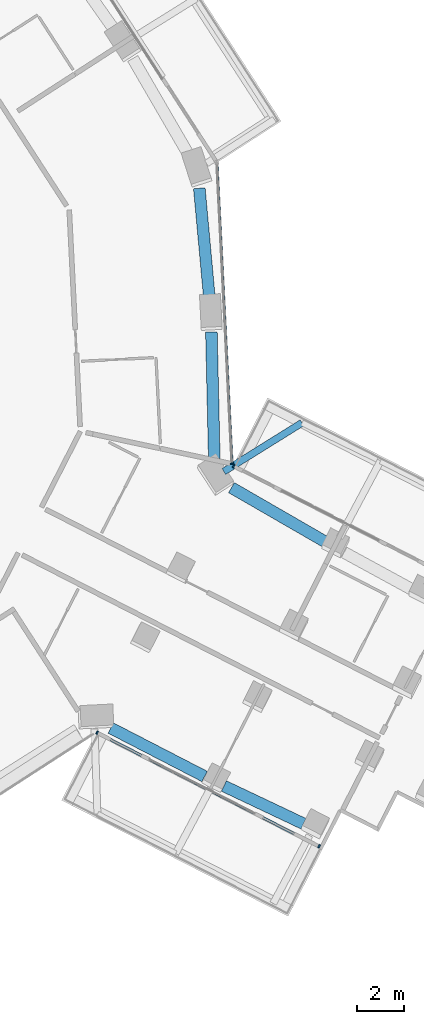
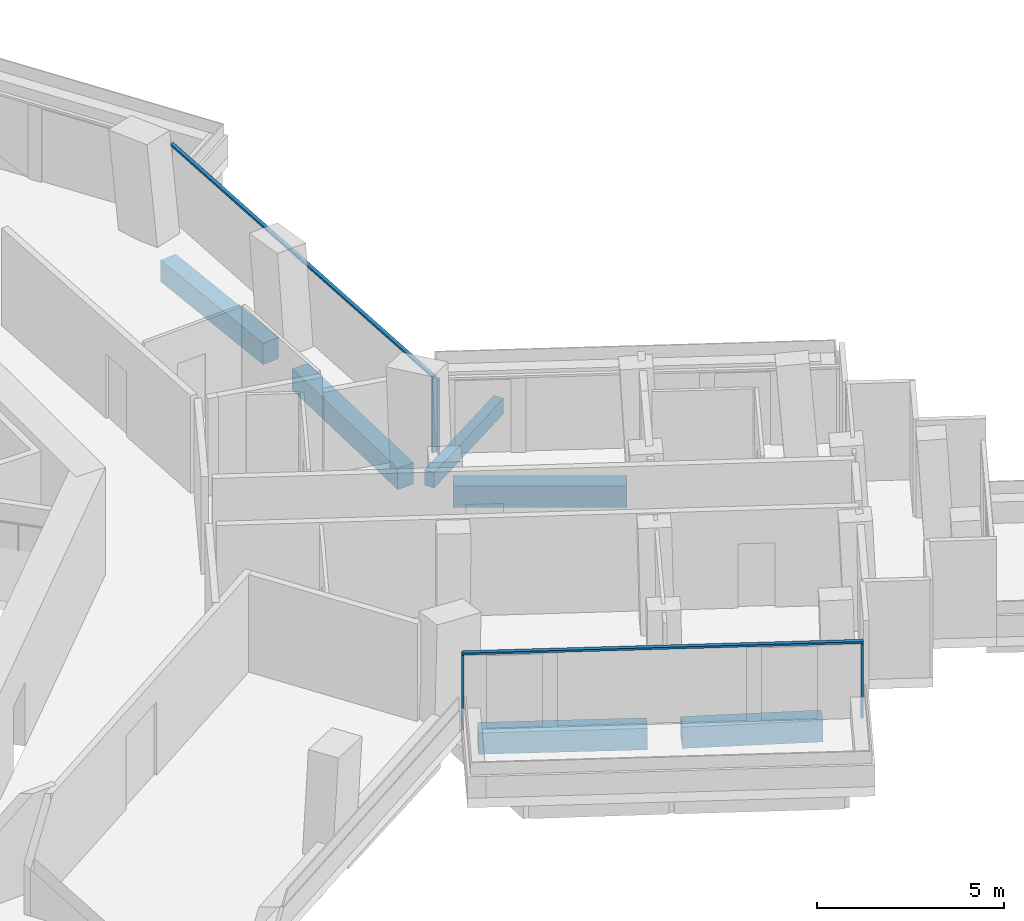
# One storey, part 6 of 25: 6 beams, 6 members, 3 elements without a shape of their own.
"""IFC4 building model written with IfcOpenShell, lengths in metres."""

from ifc_helpers import new_model, si_unit, direction, frame, origin, origin_2d, place, context, subcontext, project, spatial, rectangle, extrude, material, layer, layer_set, material_profile, profile_set, type_object, element, aggregate, save


model = new_model("IFC4")

# Units and contexts
model_context = context("Model", 3, precision=1e-05, world=origin(), true_north=direction((0.0, 1.0)))
body_context = subcontext(model_context, "Body", "Model", "MODEL_VIEW")
ifc_project = project(units=[si_unit("LENGTHUNIT", "METRE"), si_unit("AREAUNIT", "SQUARE_METRE"), si_unit("VOLUMEUNIT", "CUBIC_METRE"), si_unit("PLANEANGLEUNIT", "RADIAN"), si_unit("MASSUNIT", "GRAM", prefix="KILO")], contexts=[model_context])

# Site, building, storey
site_placement = place(None, origin())
site = spatial("IfcSite", under=ifc_project, at=site_placement, CompositionType="ELEMENT")
building_placement = place(site_placement, origin())
building = spatial("IfcBuilding", under=site, at=building_placement, Name="Verdalira Terraces Hotel", CompositionType="ELEMENT")
storey_placement = place(building_placement, frame((0.0, 0.0, 46.0)))
storey = spatial("IfcBuildingStorey", under=building, at=storey_placement, Name="L09", CompositionType="ELEMENT", Elevation=46.0)

# Beam
ifc_material_1 = material(Name="Concrete C40", Category="concrete")
ifc_material_profile_1 = material_profile(ifc_material_1, rectangle(XDim=0.300049, YDim=0.5, at=origin_2d()), Name="RC 300X500")
ifc_profile_set_1 = profile_set([ifc_material_profile_1], Name="Concrete C40")
beam_type_1 = type_object("IfcBeamType", Name="Balcony cantilever beam RC 300X500 C40", PredefinedType="BEAM", material=ifc_profile_set_1)
beam_1_placement = place(storey_placement, frame((24.13208, -5.584229, -0.560059), z_axis=(0.848778635, 0.52874836, 0.0), x_axis=(-0.52874836, 0.848778635, 0.0)))
element("IfcBeam", 1, at=beam_1_placement, inside=storey, type_object=beam_type_1, Name="Balcony cantilever beam R38-3", PredefinedType="BEAM", context=body_context, shape_type="SweptSolid", body=[
    extrude(rectangle(XDim=0.300049, YDim=0.5, at=origin_2d()), origin(), (0.0, 0.0, 1.0), 3.950195),
])

# Curtain wall, members
ifc_material_2 = material(Name="Clear glass", Category="glass")
ifc_layer_1 = layer(ifc_material_2, 0.14990234375)
ifc_layer_set_1 = layer_set([ifc_layer_1], Name="CW1 curtain wall")
curtain_wall_type_1 = type_object("IfcCurtainWallType", Name="CW1 curtain wall", PredefinedType="NOTDEFINED", material=ifc_layer_set_1)
curtain_wall_1_placement = place(storey_placement, origin())
curtain_wall_1 = element("IfcCurtainWall", 2, at=curtain_wall_1_placement, inside=storey, type_object=curtain_wall_type_1, Name="CW1 curtain wall L09 edge 39", PredefinedType="NOTDEFINED")
ifc_material_3 = material(Name="Terracotta frame", Category="masonry")
ifc_material_profile_2 = material_profile(ifc_material_3, rectangle(XDim=0.060059, YDim=0.149902, at=origin_2d()), Name="MU 60x150")
ifc_profile_set_2 = profile_set([ifc_material_profile_2], Name="Terracotta frame")
member_type_1 = type_object("IfcMemberType", Name="CW1 mullion 60x150", PredefinedType="MULLION", material=ifc_profile_set_2)
member_1_placement = place(storey_placement, frame((24.477783, -5.246826, 0.0), z_axis=(0.0, 0.0, 1.0), x_axis=(-0.050244318, 0.998736957, 0.0)))
member_1 = element("IfcMember", 3, at=member_1_placement, type_object=member_type_1, Name="CW1 mullion", PredefinedType="MULLION", context=body_context, shape_type="SweptSolid", body=[
    extrude(rectangle(XDim=0.060059, YDim=0.149902, at=origin_2d()), origin(), (0.0, 0.0, 1.0), 2.425049),
])
ifc_material_4 = material(Name="Terracotta frame", Category="masonry")
ifc_material_profile_3 = material_profile(ifc_material_4, rectangle(XDim=0.110107, YDim=0.064941, at=origin_2d()), Name="TR 65x110")
ifc_profile_set_3 = profile_set([ifc_material_profile_3], Name="Terracotta frame")
member_type_2 = type_object("IfcMemberType", Name="CW1 transom 65x110", PredefinedType="USERDEFINED", material=ifc_profile_set_3)
member_2_placement = place(storey_placement, frame((24.479492, -5.276611, 2.45752), z_axis=(-0.050260827, 0.998736126, 0.0), x_axis=(-0.998736126, -0.050260827, 0.0)))
member_2 = element("IfcMember", 4, at=member_2_placement, type_object=member_type_2, Name="CW1 transom", ObjectType="TRANSOM", PredefinedType="USERDEFINED", context=body_context, shape_type="SweptSolid", body=[
    extrude(rectangle(XDim=0.110107, YDim=0.064941, at=origin_2d()), origin(), (0.0, 0.0, 1.0), 12.959717),
])
aggregate(curtain_wall_1, [member_1, member_2])

ifc_material_5 = material(Name="Clear glass", Category="glass")
ifc_layer_2 = layer(ifc_material_5, 0.14990234375)
ifc_layer_set_2 = layer_set([ifc_layer_2], Name="CW2 curtain wall")
curtain_wall_type_2 = type_object("IfcCurtainWallType", Name="CW2 curtain wall", PredefinedType="NOTDEFINED", material=ifc_layer_set_2)
curtain_wall_2_placement = place(storey_placement, origin())
curtain_wall_2 = element("IfcCurtainWall", 5, at=curtain_wall_2_placement, inside=storey, type_object=curtain_wall_type_2, Name="CW2 curtain wall L09 edge 28", PredefinedType="NOTDEFINED")
ifc_material_6 = material(Name="Terracotta frame", Category="masonry")
ifc_material_profile_4 = material_profile(ifc_material_6, rectangle(XDim=0.070068, YDim=0.149902, at=origin_2d()), Name="MU 70x150")
ifc_profile_set_4 = profile_set([ifc_material_profile_4], Name="Terracotta frame")
member_type_3 = type_object("IfcMemberType", Name="CW2 mullion 70x150", PredefinedType="MULLION", material=ifc_profile_set_4)
member_3_placement = place(storey_placement, frame((18.693604, -16.792725, 0.0), z_axis=(0.0, 0.0, 1.0), x_axis=(0.890053735, -0.455855622, 0.0)))
member_3 = element("IfcMember", 6, at=member_3_placement, type_object=member_type_3, Name="CW2 mullion", PredefinedType="MULLION", context=body_context, shape_type="SweptSolid", body=[
    extrude(rectangle(XDim=0.070068, YDim=0.149902, at=origin_2d()), origin(), (0.0, 0.0, 1.0), 2.425049),
])
member_4_placement = place(storey_placement, frame((28.217285, -21.670654, 0.0), z_axis=(0.0, 0.0, 1.0), x_axis=(0.890053735, -0.455855622, 0.0)))
member_4 = element("IfcMember", 7, at=member_4_placement, type_object=member_type_3, Name="CW2 mullion", PredefinedType="MULLION", context=body_context, shape_type="SweptSolid", body=[
    extrude(rectangle(XDim=0.070068, YDim=0.149902, at=origin_2d()), origin(), (0.0, 0.0, 1.0), 2.425049),
])

# Curtain wall, member
curtain_wall_3_placement = place(storey_placement, origin())
curtain_wall_3 = element("IfcCurtainWall", 8, at=curtain_wall_3_placement, inside=storey, type_object=curtain_wall_type_2, Name="CW2 curtain wall L09 edge 38", PredefinedType="NOTDEFINED")
member_5_placement = place(storey_placement, frame((24.55127, -5.355713, 0.0), z_axis=(0.0, 0.0, 1.0), x_axis=(-0.890053735, 0.455855622, 0.0)))
member_5 = element("IfcMember", 9, at=member_5_placement, type_object=member_type_3, Name="CW2 mullion", PredefinedType="MULLION", context=body_context, shape_type="SweptSolid", body=[
    extrude(rectangle(XDim=0.070068, YDim=0.149902, at=origin_2d()), origin(), (0.0, 0.0, 1.0), 2.425049),
])
aggregate(curtain_wall_3, [member_5])

# Member
ifc_material_7 = material(Name="Terracotta frame", Category="masonry")
ifc_material_profile_5 = material_profile(ifc_material_7, rectangle(XDim=0.11499, YDim=0.064941, at=origin_2d()), Name="TR 65x115")
ifc_profile_set_5 = profile_set([ifc_material_profile_5], Name="Terracotta frame")
member_type_4 = type_object("IfcMemberType", Name="CW2 transom 65x115", PredefinedType="USERDEFINED", material=ifc_profile_set_5)
member_6_placement = place(storey_placement, frame((18.662354, -16.776855, 2.45752), z_axis=(0.890050992, -0.455860978, 0.0), x_axis=(0.455860978, 0.890050992, 0.0)))
member_6 = element("IfcMember", 10, at=member_6_placement, type_object=member_type_4, Name="CW2 transom", ObjectType="TRANSOM", PredefinedType="USERDEFINED", context=body_context, shape_type="SweptSolid", body=[
    extrude(rectangle(XDim=0.11499, YDim=0.064941, at=origin_2d()), origin(), (0.0, 0.0, 1.0), 10.77002),
])

aggregate(curtain_wall_2, [member_3, member_4, member_6])

# Beams
ifc_material_8 = material(Name="Concrete C70", Category="concrete")
ifc_material_profile_6 = material_profile(ifc_material_8, rectangle(XDim=0.5, YDim=0.699951, at=origin_2d()), Name="RC 500X700")
ifc_profile_set_6 = profile_set([ifc_material_profile_6], Name="Concrete C70")
beam_type_2 = type_object("IfcBeamType", Name="Spandrel beam RC 500X700 C70", PredefinedType="SPANDREL", material=ifc_profile_set_6)
beam_2_placement = place(storey_placement, frame((19.279785, -16.591064, -0.659912), z_axis=(0.888588784, -0.458704668, 0.0), x_axis=(0.458704668, 0.888588784, 0.0)))
element("IfcBeam", 11, at=beam_2_placement, inside=storey, type_object=beam_type_2, Name="Spandrel beam B25", PredefinedType="SPANDREL", context=body_context, shape_type="SweptSolid", body=[
    extrude(rectangle(XDim=0.5, YDim=0.699951, at=origin_2d()), origin(), (0.0, 0.0, 1.0), 4.531982),
])
beam_3_placement = place(storey_placement, frame((24.13501, -19.079346, -0.659912), z_axis=(0.903652275, -0.428266932, 0.0), x_axis=(0.428266932, 0.903652275, 0.0)))
element("IfcBeam", 12, at=beam_3_placement, inside=storey, type_object=beam_type_2, Name="Spandrel beam B26", PredefinedType="SPANDREL", context=body_context, shape_type="SweptSolid", body=[
    extrude(rectangle(XDim=0.5, YDim=0.699951, at=origin_2d()), origin(), (0.0, 0.0, 1.0), 3.777344),
])
beam_4_placement = place(storey_placement, frame((28.493408, -8.605957, -0.659912), z_axis=(-0.866045096, 0.49996589, 0.0), x_axis=(-0.49996589, -0.866045096, 0.0)))
element("IfcBeam", 13, at=beam_4_placement, inside=storey, type_object=beam_type_2, Name="Spandrel beam B29", PredefinedType="SPANDREL", context=body_context, shape_type="SweptSolid", body=[
    extrude(rectangle(XDim=0.5, YDim=0.699951, at=origin_2d()), origin(), (0.0, 0.0, 1.0), 4.658936),
])
beam_5_placement = place(storey_placement, frame((23.721191, -5.030518, -0.659912), z_axis=(-0.022713248, 0.999742021, 0.0), x_axis=(-0.999742021, -0.022713248, 0.0)))
element("IfcBeam", 14, at=beam_5_placement, inside=storey, type_object=beam_type_2, Name="Spandrel beam B30", PredefinedType="SPANDREL", context=body_context, shape_type="SweptSolid", body=[
    extrude(rectangle(XDim=0.5, YDim=0.699951, at=origin_2d()), origin(), (0.0, 0.0, 1.0), 5.438965),
])
beam_6_placement = place(storey_placement, frame((23.515137, 1.83374, -0.659912), z_axis=(-0.091743843, 0.995782641, 0.0), x_axis=(-0.995782641, -0.091743843, 0.0)))
element("IfcBeam", 15, at=beam_6_placement, inside=storey, type_object=beam_type_2, Name="Spandrel beam B31", PredefinedType="SPANDREL", context=body_context, shape_type="SweptSolid", body=[
    extrude(rectangle(XDim=0.5, YDim=0.699951, at=origin_2d()), origin(), (0.0, 0.0, 1.0), 4.755371),
])

save(model, "model.ifc")
